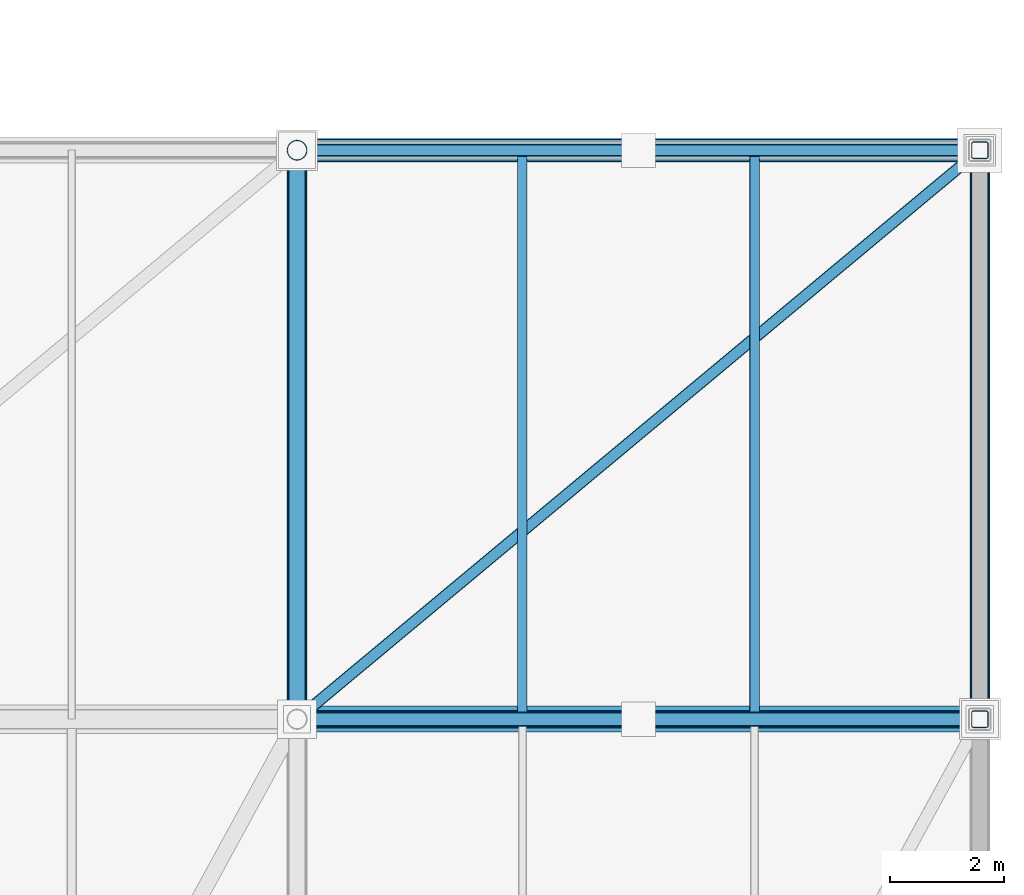
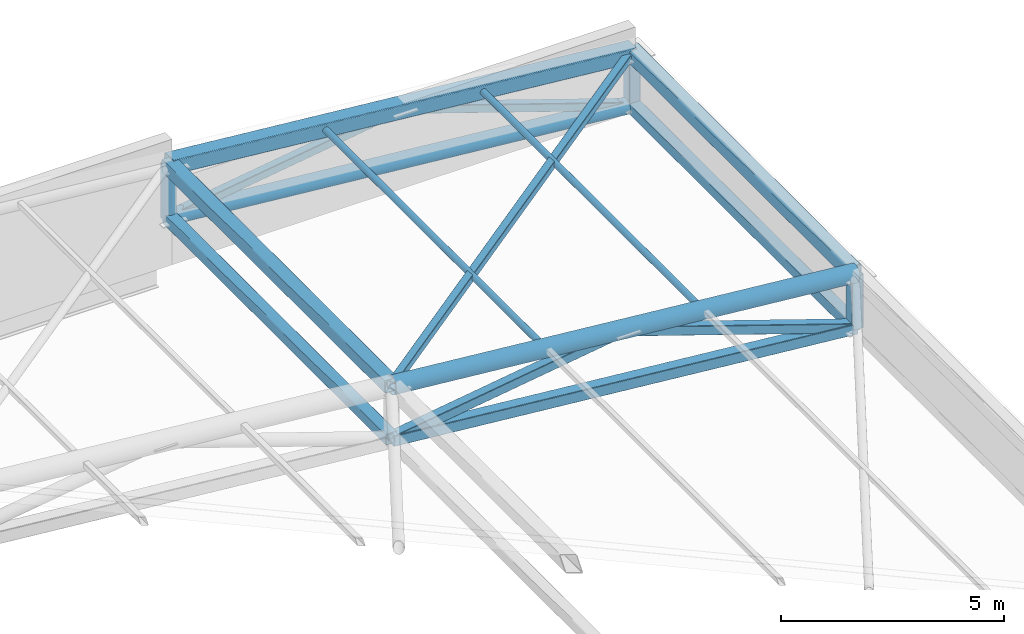
# One storey, part 39 of 44: 18 members.
"""IFC4 building model written with IfcOpenShell, lengths in metres."""

from ifc_helpers import new_model, si_unit, direction, frame, origin, origin_2d, place, context, subcontext, project, spatial, hollow_rectangle, hollow_circle, extrude, material, material_profile, profile_set, type_object, element, save


model = new_model("IFC4")

# Units and contexts
model_context = context("Model", 3, precision=1e-05, world=origin(), true_north=direction((0.0, 1.0)))
body_context = subcontext(model_context, "Body", "Model", "MODEL_VIEW")
ifc_project = project(units=[si_unit("LENGTHUNIT", "METRE"), si_unit("AREAUNIT", "SQUARE_METRE"), si_unit("VOLUMEUNIT", "CUBIC_METRE"), si_unit("PLANEANGLEUNIT", "RADIAN"), si_unit("MASSUNIT", "GRAM", prefix="KILO")], contexts=[model_context])

# Site, building, storey
site_placement = place(None, origin())
site = spatial("IfcSite", under=ifc_project, at=site_placement, CompositionType="ELEMENT")
building_placement = place(site_placement, origin())
building = spatial("IfcBuilding", under=site, at=building_placement, Name="Brinegate Civic Arena", CompositionType="ELEMENT")
storey_placement = place(building_placement, frame((0.0, 0.0, 29.39990234375)))
storey = spatial("IfcBuildingStorey", under=building, at=storey_placement, Name="RF", CompositionType="ELEMENT", Elevation=29.39990234375)

# Members
ifc_material = material(Name="Steel S355", Category="steel")
ifc_material_profile_1 = material_profile(ifc_material, hollow_circle(Radius=0.083984375, WallThickness=0.008056640625, at=origin_2d()), Name="CHS168X8")
ifc_profile_set_1 = profile_set([ifc_material_profile_1], Name="Steel S355")
member_type_1 = type_object("IfcMemberType", Name="RF-PURLIN-CHS168", PredefinedType="PURLIN", material=ifc_profile_set_1)
for number, where, z_axis, x_axis, name in (
    (1, (147.9599609375, 104.0, 2.335205078125), (0.0, 1.0, 0.0), (-1.0, 0.0, 0.0), "Roof Purlin RFP-125"),
    (2, (152.0400390625, 104.0, 1.9521484375), (0.0, 1.0, 0.0), (-1.0, 0.0, 0.0), "Roof Purlin RFP-126"),
):
    element("IfcMember", number, at=place(storey_placement, frame(where, z_axis=z_axis, x_axis=x_axis)), inside=storey, type_object=member_type_1, Name=name, PredefinedType="PURLIN", context=body_context, shape_type="SweptSolid", body=[
        extrude(hollow_circle(Radius=0.083984375, WallThickness=0.008056640625, at=origin_2d()), origin(), (0.0, 0.0, 1.0), 10.0),
    ])
ifc_material_profile_2 = material_profile(ifc_material, hollow_rectangle(XDim=0.199951171875, YDim=0.199951171875, WallThickness=0.010009765625, InnerFilletRadius=0.010009765625, OuterFilletRadius=0.02001953125, at=origin_2d()), Name="SHS200X10")
ifc_profile_set_2 = profile_set([ifc_material_profile_2], Name="Steel S355")
member_type_2 = type_object("IfcMemberType", Name="SF-BRACE-SHS200", PredefinedType="BRACE", material=ifc_profile_set_2)
member_1_placement = place(storey_placement, frame((144.0, 104.0, 2.675048828125), z_axis=(0.766236619907, 0.638530516589, -0.071834683116), x_axis=(-0.640184399664, 0.768221279597, 0.0)))
element("IfcMember", 3, at=member_1_placement, inside=storey, type_object=member_type_2, Name="Roof Plan Diagonal Brace PL-7-9", PredefinedType="BRACE", context=body_context, shape_type="SweptSolid", body=[
    extrude(hollow_rectangle(XDim=0.199951171875, YDim=0.199951171875, WallThickness=0.010009765625, InnerFilletRadius=0.010009765625, OuterFilletRadius=0.02001953125, at=origin_2d()), origin(), (0.0, 0.0, 1.0), 15.660888671875),
])
ifc_material_profile_3 = material_profile(ifc_material, hollow_rectangle(XDim=0.219970703125, YDim=0.219970703125, WallThickness=0.011962890625, InnerFilletRadius=0.011962890625, OuterFilletRadius=0.02392578125, at=origin_2d()), Name="SHS220X12")
ifc_profile_set_3 = profile_set([ifc_material_profile_3], Name="Steel S355")
member_type_3 = type_object("IfcMemberType", Name="SF-BRACE-SHS220", PredefinedType="BRACE", material=ifc_profile_set_3)
member_2_placement = place(storey_placement, frame((144.0, 114.0, 1.22509765625), z_axis=(0.989226142737, 0.0, 0.1463954867), x_axis=(0.0, 1.0, 0.0)))
element("IfcMember", 4, at=member_2_placement, inside=storey, type_object=member_type_3, Name="Space Frame Web Brace D1-8-9", PredefinedType="BRACE", context=body_context, shape_type="SweptSolid", body=[
    extrude(hollow_rectangle(XDim=0.219970703125, YDim=0.219970703125, WallThickness=0.011962890625, InnerFilletRadius=0.011962890625, OuterFilletRadius=0.02392578125, at=origin_2d()), origin(), (0.0, 0.0, 1.0), 6.0654296875),
])
member_3_placement = place(storey_placement, frame((150.0, 114.0, 2.113037109375), z_axis=(0.948068139281, 0.0, -0.318067293635), x_axis=(0.0, 1.0, 0.0)))
element("IfcMember", 5, at=member_3_placement, inside=storey, type_object=member_type_3, Name="Space Frame Web Brace D2-8-9", PredefinedType="BRACE", context=body_context, shape_type="SweptSolid", body=[
    extrude(hollow_rectangle(XDim=0.219970703125, YDim=0.219970703125, WallThickness=0.011962890625, InnerFilletRadius=0.011962890625, OuterFilletRadius=0.02392578125, at=origin_2d()), origin(), (0.0, 0.0, 1.0), 6.32861328125),
])
ifc_material_profile_4 = material_profile(ifc_material, hollow_rectangle(XDim=0.25, YDim=0.25, WallThickness=0.011962890625, InnerFilletRadius=0.011962890625, OuterFilletRadius=0.02392578125, at=origin_2d()), Name="SHS250X12")
ifc_profile_set_4 = profile_set([ifc_material_profile_4], Name="Steel S355")
member_type_4 = type_object("IfcMemberType", Name="SF-BRACE-SHS250", PredefinedType="BRACE", material=ifc_profile_set_4)
member_4_placement = place(storey_placement, frame((144.0, 104.0, 1.22509765625), z_axis=(0.989226142737, 0.0, 0.1463954867), x_axis=(0.0, 1.0, 0.0)))
element("IfcMember", 6, at=member_4_placement, inside=storey, type_object=member_type_4, Name="Space Frame Web Brace D1-7-9", PredefinedType="BRACE", context=body_context, shape_type="SweptSolid", body=[
    extrude(hollow_rectangle(XDim=0.25, YDim=0.25, WallThickness=0.011962890625, InnerFilletRadius=0.011962890625, OuterFilletRadius=0.02392578125, at=origin_2d()), origin(), (0.0, 0.0, 1.0), 6.0654296875),
])
member_5_placement = place(storey_placement, frame((150.0, 104.0, 2.113037109375), z_axis=(0.948068139281, 0.0, -0.318067293635), x_axis=(0.0, 1.0, 0.0)))
element("IfcMember", 7, at=member_5_placement, inside=storey, type_object=member_type_4, Name="Space Frame Web Brace D2-7-9", PredefinedType="BRACE", context=body_context, shape_type="SweptSolid", body=[
    extrude(hollow_rectangle(XDim=0.25, YDim=0.25, WallThickness=0.011962890625, InnerFilletRadius=0.011962890625, OuterFilletRadius=0.02392578125, at=origin_2d()), origin(), (0.0, 0.0, 1.0), 6.32861328125),
])
ifc_material_profile_5 = material_profile(ifc_material, hollow_circle(Radius=0.202880859375, WallThickness=0.01611328125, at=origin_2d()), Name="CHS406X16")
ifc_profile_set_5 = profile_set([ifc_material_profile_5], Name="Steel S355")
member_type_5 = type_object("IfcMemberType", Name="SF-CHORD-CHS406", PredefinedType="CHORD", material=ifc_profile_set_5)
member_6_placement = place(storey_placement, frame((144.0, 114.0, 1.22509765625), z_axis=(0.995634226059, 0.0, -0.093340708693), x_axis=(0.0, 1.0, 0.0)))
element("IfcMember", 8, at=member_6_placement, inside=storey, type_object=member_type_5, Name="Space Frame Bottom Chord BX-8-9", PredefinedType="CHORD", context=body_context, shape_type="SweptSolid", body=[
    extrude(hollow_circle(Radius=0.202880859375, WallThickness=0.01611328125, at=origin_2d()), origin(), (0.0, 0.0, 1.0), 12.052734375),
])
ifc_material_profile_6 = material_profile(ifc_material, hollow_circle(Radius=0.228515625, WallThickness=0.01611328125, at=origin_2d()), Name="CHS457X16")
ifc_profile_set_6 = profile_set([ifc_material_profile_6], Name="Steel S355")
member_type_6 = type_object("IfcMemberType", Name="SF-CHORD-CHS457", PredefinedType="CHORD", material=ifc_profile_set_6)
member_7_placement = place(storey_placement, frame((144.0, 104.0, 2.675048828125), z_axis=(0.995634226059, 0.0, -0.093340708693), x_axis=(0.0, 1.0, 0.0)))
element("IfcMember", 9, at=member_7_placement, inside=storey, type_object=member_type_6, Name="Space Frame Top Chord TX-7-9", PredefinedType="CHORD", context=body_context, shape_type="SweptSolid", body=[
    extrude(hollow_circle(Radius=0.228515625, WallThickness=0.01611328125, at=origin_2d()), origin(), (0.0, 0.0, 1.0), 12.052734375),
])
ifc_material_profile_7 = material_profile(ifc_material, hollow_rectangle(XDim=0.300048828125, YDim=0.300048828125, WallThickness=0.01611328125, InnerFilletRadius=0.01611328125, OuterFilletRadius=0.031982421875, at=origin_2d()), Name="SHS300X16")
ifc_profile_set_7 = profile_set([ifc_material_profile_7], Name="Steel S355")
member_type_7 = type_object("IfcMemberType", Name="SF-CHORD-SHS300", PredefinedType="CHORD", material=ifc_profile_set_7)
member_8_placement = place(storey_placement, frame((144.0, 104.0, 1.22509765625), z_axis=(0.995634226059, 0.0, -0.093340708693), x_axis=(0.0, 1.0, 0.0)))
element("IfcMember", 10, at=member_8_placement, inside=storey, type_object=member_type_7, Name="Space Frame Bottom Chord BX-7-9", PredefinedType="CHORD", context=body_context, shape_type="SweptSolid", body=[
    extrude(hollow_rectangle(XDim=0.300048828125, YDim=0.300048828125, WallThickness=0.01611328125, InnerFilletRadius=0.01611328125, OuterFilletRadius=0.031982421875, at=origin_2d()), origin(), (0.0, 0.0, 1.0), 12.052734375),
])
for number, where, z_axis, x_axis, name in (
    (11, (144.0, 104.0, 1.22509765625), (0.0, 1.0, 0.0), (-1.0, 0.0, 0.0), "Space Frame Cross Bottom Chord BY-7-9"),
    (12, (156.0, 104.0, 0.10009765625), (0.0, 1.0, 0.0), (-1.0, 0.0, 0.0), "Space Frame Cross Bottom Chord BY-7-10"),
):
    element("IfcMember", number, at=place(storey_placement, frame(where, z_axis=z_axis, x_axis=x_axis)), inside=storey, type_object=member_type_7, Name=name, PredefinedType="CHORD", context=body_context, shape_type="SweptSolid", body=[
        extrude(hollow_rectangle(XDim=0.300048828125, YDim=0.300048828125, WallThickness=0.01611328125, InnerFilletRadius=0.01611328125, OuterFilletRadius=0.031982421875, at=origin_2d()), origin(), (0.0, 0.0, 1.0), 10.0),
    ])
ifc_material_profile_8 = material_profile(ifc_material, hollow_rectangle(XDim=0.35009765625, YDim=0.35009765625, WallThickness=0.01611328125, InnerFilletRadius=0.01611328125, OuterFilletRadius=0.031982421875, at=origin_2d()), Name="SHS350X16")
ifc_profile_set_8 = profile_set([ifc_material_profile_8], Name="Steel S355")
member_type_8 = type_object("IfcMemberType", Name="SF-CHORD-SHS350", PredefinedType="CHORD", material=ifc_profile_set_8)
for number, where, z_axis, x_axis, name in (
    (13, (144.0, 104.0, 2.675048828125), (0.0, 1.0, 0.0), (-1.0, 0.0, 0.0), "Space Frame Cross Top Chord TY-7-9"),
    (14, (156.0, 104.0, 1.550048828125), (0.0, 1.0, 0.0), (-1.0, 0.0, 0.0), "Space Frame Cross Top Chord TY-7-10"),
):
    element("IfcMember", number, at=place(storey_placement, frame(where, z_axis=z_axis, x_axis=x_axis)), inside=storey, type_object=member_type_8, Name=name, PredefinedType="CHORD", context=body_context, shape_type="SweptSolid", body=[
        extrude(hollow_rectangle(XDim=0.35009765625, YDim=0.35009765625, WallThickness=0.01611328125, InnerFilletRadius=0.01611328125, OuterFilletRadius=0.031982421875, at=origin_2d()), origin(), (0.0, 0.0, 1.0), 10.0),
    ])
ifc_material_profile_9 = material_profile(ifc_material, hollow_rectangle(XDim=0.39990234375, YDim=0.39990234375, WallThickness=0.02001953125, InnerFilletRadius=0.02001953125, OuterFilletRadius=0.0400390625, at=origin_2d()), Name="SHS400X20")
ifc_profile_set_9 = profile_set([ifc_material_profile_9], Name="Steel S355")
member_type_9 = type_object("IfcMemberType", Name="SF-CHORD-SHS400", PredefinedType="CHORD", material=ifc_profile_set_9)
member_9_placement = place(storey_placement, frame((144.0, 114.0, 2.675048828125), z_axis=(0.995634226059, 0.0, -0.093340708693), x_axis=(0.0, 1.0, 0.0)))
element("IfcMember", 15, at=member_9_placement, inside=storey, type_object=member_type_9, Name="Space Frame Top Chord TX-8-9", PredefinedType="CHORD", context=body_context, shape_type="SweptSolid", body=[
    extrude(hollow_rectangle(XDim=0.39990234375, YDim=0.39990234375, WallThickness=0.02001953125, InnerFilletRadius=0.02001953125, OuterFilletRadius=0.0400390625, at=origin_2d()), origin(), (0.0, 0.0, 1.0), 12.052734375),
])
ifc_material_profile_10 = material_profile(ifc_material, hollow_circle(Radius=0.177978515625, WallThickness=0.013916015625, at=origin_2d()), Name="CHS356X14")
ifc_profile_set_10 = profile_set([ifc_material_profile_10], Name="Steel S355")
member_type_10 = type_object("IfcMemberType", Name="SF-STRUT-CHS356", PredefinedType="STRUT", material=ifc_profile_set_10)
member_10_placement = place(storey_placement, frame((144.0, 114.0, 1.22509765625), z_axis=(0.0, 0.0, 1.0), x_axis=(1.0, 0.0, 0.0)))
element("IfcMember", 16, at=member_10_placement, inside=storey, type_object=member_type_10, Name="Space Frame Vertical Post V-8-9", PredefinedType="STRUT", context=body_context, shape_type="SweptSolid", body=[
    extrude(hollow_circle(Radius=0.177978515625, WallThickness=0.013916015625, at=origin_2d()), origin(), (0.0, 0.0, 1.0), 1.449951171875),
])
ifc_material_profile_11 = material_profile(ifc_material, hollow_rectangle(XDim=0.300048828125, YDim=0.300048828125, WallThickness=0.01611328125, InnerFilletRadius=0.01611328125, OuterFilletRadius=0.031982421875, at=origin_2d()), Name="SHS300X16")
ifc_profile_set_11 = profile_set([ifc_material_profile_11], Name="Steel S355")
member_type_11 = type_object("IfcMemberType", Name="SF-STRUT-SHS300", PredefinedType="STRUT", material=ifc_profile_set_11)
for number, where, z_axis, x_axis, name in (
    (17, (156.0, 104.0, 0.10009765625), (0.0, 0.0, 1.0), (1.0, 0.0, 0.0), "Space Frame Vertical Post V-7-10"),
    (18, (156.0, 114.0, 0.10009765625), (0.0, 0.0, 1.0), (1.0, 0.0, 0.0), "Space Frame Vertical Post V-8-10"),
):
    element("IfcMember", number, at=place(storey_placement, frame(where, z_axis=z_axis, x_axis=x_axis)), inside=storey, type_object=member_type_11, Name=name, PredefinedType="STRUT", context=body_context, shape_type="SweptSolid", body=[
        extrude(hollow_rectangle(XDim=0.300048828125, YDim=0.300048828125, WallThickness=0.01611328125, InnerFilletRadius=0.01611328125, OuterFilletRadius=0.031982421875, at=origin_2d()), origin(), (0.0, 0.0, 1.0), 1.449951171875),
    ])

save(model, "model.ifc")
